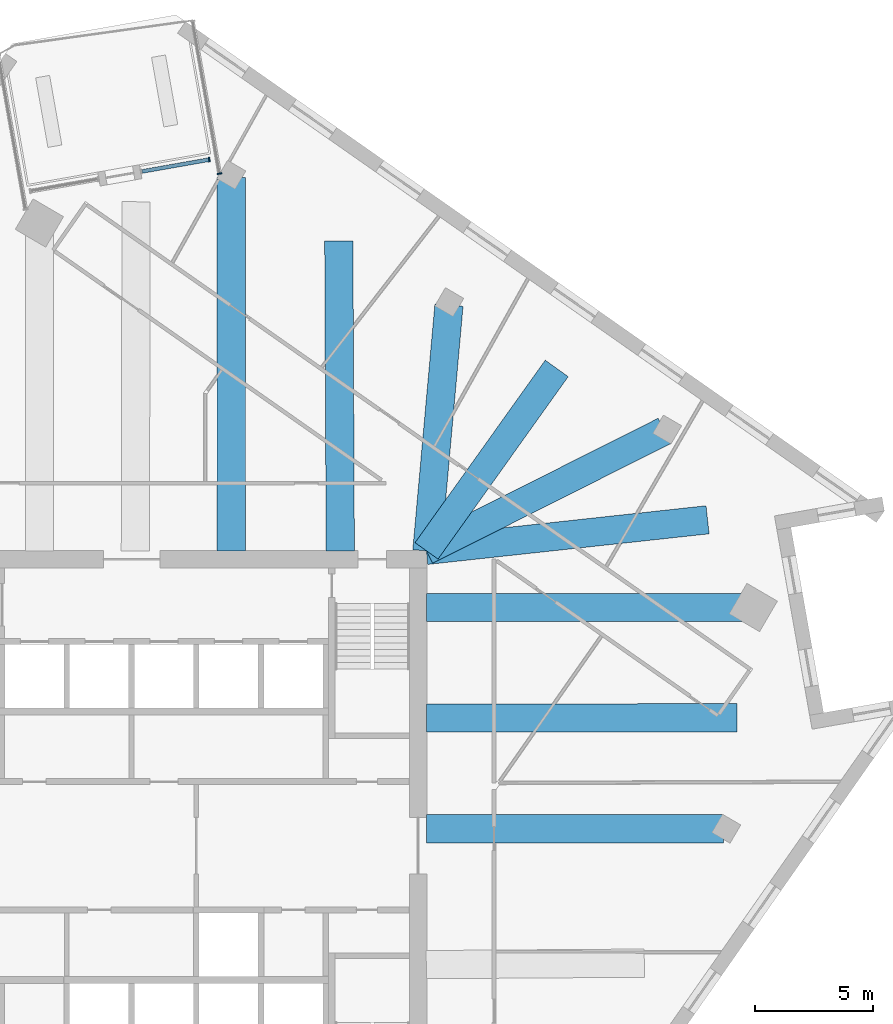
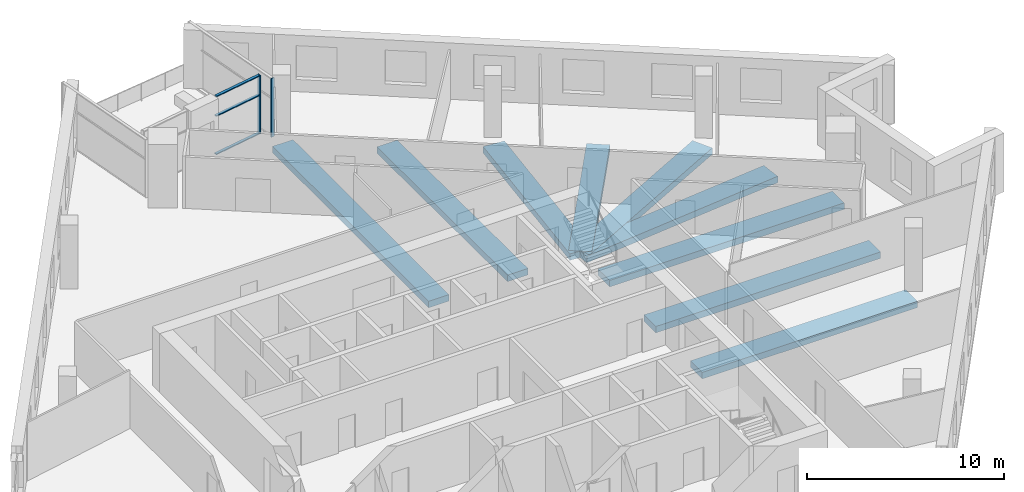
# One storey, part 3 of 13: 9 beams, 5 members, 2 elements without a shape of their own.
"""IFC4 building model written with IfcOpenShell, lengths in metres."""

import ifcopenshell
import ifcopenshell.guid

model = None  # the IFC model being written
_history = None  # IfcOwnerHistory: only IFC2X3 demands one
_inside = {}  # id of a spatial element -> (the spatial element, [elements in it])
_under = {}  # id of a project, library or spatial element -> (it, [spatial elements below it])
_declared = {}  # id of a project -> (the project, [libraries it declares])
_typed = {}  # id of a type object -> (the type object, [elements of that type])
_made_of = {}  # id of a material, layer set ... -> (it, [elements and type objects made of it])


def new_model(schema):
    """Start an empty IFC model of exactly this schema.

    Asked for "IFC4X3", IfcOpenShell would pick the latest addendum, in which some entities
    have other attributes; the version numbers below select the first issue.
    IFC2X3 requires an IfcOwnerHistory on every rooted entity: one is made here for all.
    """
    global model, _history
    if schema == "IFC4X3":
        model = ifcopenshell.file(schema_version=(4, 3, 0, 0))
    else:
        model = ifcopenshell.file(schema=schema)
    _inside.clear()
    _under.clear()
    _declared.clear()
    _typed.clear()
    _made_of.clear()
    _history = None
    if model.schema == "IFC2X3":
        org = make("IfcOrganization", Name="unknown")
        user = make(
            "IfcPersonAndOrganization",
            ThePerson=make("IfcPerson", FamilyName="unknown"),
            TheOrganization=org,
        )
        app = make(
            "IfcApplication",
            ApplicationDeveloper=org,
            Version="unknown",
            ApplicationFullName="unknown",
            ApplicationIdentifier="unknown",
        )
        _history = make(
            "IfcOwnerHistory",
            OwningUser=user,
            OwningApplication=app,
            ChangeAction="ADDED",
            CreationDate=0,
        )
    return model


def make(cls, **values):
    """One entity of the class cls with the attributes given. An attribute that is None is left unset."""
    return model.create_entity(
        cls, **{name: value for name, value in values.items() if value is not None}
    )


def rooted(cls, **values):
    """An entity with a GlobalId (a new one), such as an element, a storey or a relation."""
    return make(cls, GlobalId=ifcopenshell.guid.new(), OwnerHistory=_history, **values)


def si_unit(unit_type, name, prefix=None):
    """IfcSIUnit, for example si_unit("LENGTHUNIT", "METRE", prefix="MILLI")."""
    return make("IfcSIUnit", UnitType=unit_type, Prefix=prefix, Name=name)


def assignment(units):
    """IfcUnitAssignment: the units of a project."""
    return None if units is None else make("IfcUnitAssignment", Units=units)


def point(xyz):
    """IfcCartesianPoint."""
    return None if xyz is None else make("IfcCartesianPoint", Coordinates=xyz)


def direction(xyz):
    """IfcDirection."""
    return None if xyz is None else make("IfcDirection", DirectionRatios=xyz)


def frame(location, z_axis=None, x_axis=None):
    """IfcAxis2Placement3D, a coordinate frame: its origin and axes. An axis left out is left unset."""
    return make(
        "IfcAxis2Placement3D",
        Location=point(location),
        Axis=direction(z_axis),
        RefDirection=direction(x_axis),
    )


def frame_2d(location, x_axis=None):
    """IfcAxis2Placement2D, a coordinate frame in the plane: its origin and x axis."""
    return make(
        "IfcAxis2Placement2D", Location=point(location), RefDirection=direction(x_axis)
    )


def origin():
    """The frame at (0, 0, 0) with its axes left unset."""
    return frame((0.0, 0.0, 0.0))


def origin_2d():
    """The frame at (0, 0) in the plane with its x axis left unset."""
    return frame_2d((0.0, 0.0))


def place(relative_to, where):
    """IfcLocalPlacement: puts the frame where relative to a parent placement (None: the world)."""
    return make(
        "IfcLocalPlacement", PlacementRelTo=relative_to, RelativePlacement=where
    )


def context(
    kind, dimensions, precision=None, world=None, true_north=None, identifier=None
):
    """IfcGeometricRepresentationContext, for example the 3D "Model" context."""
    return make(
        "IfcGeometricRepresentationContext",
        ContextIdentifier=identifier,
        ContextType=kind,
        CoordinateSpaceDimension=dimensions,
        Precision=precision,
        WorldCoordinateSystem=world,
        TrueNorth=true_north,
    )


def subcontext(parent, identifier, kind, view, scale=None):
    """IfcGeometricRepresentationSubContext, for example "Body" below "Model"."""
    return make(
        "IfcGeometricRepresentationSubContext",
        ContextIdentifier=identifier,
        ContextType=kind,
        ParentContext=parent,
        TargetScale=scale,
        TargetView=view,
    )


def project(units=None, contexts=None):
    """IfcProject with its units and contexts."""
    return rooted(
        "IfcProject",
        Name="project",
        RepresentationContexts=contexts,
        UnitsInContext=assignment(units),
    )


def spatial(cls, under=None, at=None, **own):
    """A site, building, storey or space (cls), placed at a placement, below another one or the project."""
    s = rooted(cls, ObjectPlacement=at, **own)
    if under is not None:
        _under.setdefault(under.id(), (under, []))[1].append(s)
    return s


def profile(cls, at=None, kind="AREA", **sizes):
    """A parametric profile (cls). Its sizes go by their IFC names, for example OverallWidth=200.0."""
    return make(cls, ProfileType=kind, Position=at, **sizes)


def rectangle(**sizes):
    """IfcRectangleProfileDef."""
    return profile("IfcRectangleProfileDef", **sizes)


def extrude(swept, where, along, depth):
    """IfcExtrudedAreaSolid: the profile swept, set in the frame where, extruded along a direction by depth."""
    return make(
        "IfcExtrudedAreaSolid",
        SweptArea=swept,
        Position=where,
        ExtrudedDirection=direction(along),
        Depth=depth,
    )


def shape(context_of_items, identifier, shape_type, items):
    """IfcShapeRepresentation: the items that make up one representation, for example the "Body"."""
    return make(
        "IfcShapeRepresentation",
        ContextOfItems=context_of_items,
        RepresentationIdentifier=identifier,
        RepresentationType=shape_type,
        Items=items,
    )


def material(Name=None, Category=None):
    """IfcMaterial."""
    return make("IfcMaterial", Name=Name, Category=Category)


def material_profile(
    of_material, cross_section, Name=None, Category=None, Priority=None
):
    """IfcMaterialProfile: a cross section and its material."""
    return make(
        "IfcMaterialProfile",
        Name=Name,
        Material=of_material,
        Profile=cross_section,
        Priority=Priority,
        Category=Category,
    )


def profile_set(profiles, Name=None, composite=None):
    """IfcMaterialProfileSet."""
    return make(
        "IfcMaterialProfileSet",
        Name=Name,
        MaterialProfiles=profiles,
        CompositeProfile=composite,
    )


def made_of(thing, what):
    """Note that an element or type object is made of a material, layer set ...; save() writes the relation."""
    if what is not None:
        _made_of.setdefault(what.id(), (what, []))[1].append(thing)
    return thing


def type_object(cls, material=None, **own):
    """A type object (cls), such as IfcWallType, which elements share."""
    return made_of(rooted(cls, **own), material)


def element(
    cls,
    number,
    at=None,
    inside=None,
    cuts=None,
    type_object=None,
    material=None,
    context=None,
    identifier="Body",
    shape_type=None,
    held_by="IfcProductDefinitionShape",
    body=None,
    shapes=None,
    **own,
):
    """One element of the class cls, such as IfcWall. Its Tag is "e" and its number.

    at: its placement. inside: the storey or other place that contains it. cuts: it is an
    opening in that element (IfcRelVoidsElement). A single representation is given by context,
    identifier, shape_type and body (its items); several are given by shapes. held_by: the class
    of the entity that holds the representations. save() writes the other relations.
    """
    e = rooted(cls, Tag="e%d" % number, ObjectPlacement=at, **own)
    if body is not None:
        shapes = [shape(context, identifier, shape_type, body)]
    if shapes is not None:
        e.Representation = make(held_by, Representations=shapes)
    if inside is not None:
        _inside.setdefault(inside.id(), (inside, []))[1].append(e)
    if cuts is not None:
        rooted(
            "IfcRelVoidsElement", RelatingBuildingElement=cuts, RelatedOpeningElement=e
        )
    if type_object is not None:
        _typed.setdefault(type_object.id(), (type_object, []))[1].append(e)
    return made_of(e, material)


def aggregate(whole, parts):
    """IfcRelAggregates: a whole, such as a stair, and the parts it consists of."""
    return rooted("IfcRelAggregates", RelatingObject=whole, RelatedObjects=parts)


def save(model, path):
    """Write the relations noted so far, then the file.

    IfcRelAggregates (storeys below a building ...), IfcRelContainedInSpatialStructure (elements
    in a storey), IfcRelDefinesByType, IfcRelAssociatesMaterial and IfcRelDeclares: one each for
    every whole, place, type object, material and project.
    """
    for whole, parts in _under.values():
        aggregate(whole, parts)
    for where, things in _inside.values():
        rooted(
            "IfcRelContainedInSpatialStructure",
            RelatedElements=things,
            RelatingStructure=where,
        )
    for kind, things in _typed.values():
        rooted("IfcRelDefinesByType", RelatedObjects=things, RelatingType=kind)
    for what, things in _made_of.values():
        rooted("IfcRelAssociatesMaterial", RelatedObjects=things, RelatingMaterial=what)
    for by, libraries in _declared.values():
        rooted("IfcRelDeclares", RelatingContext=by, RelatedDefinitions=libraries)
    model.write(path)


model = new_model("IFC4")

# Units and contexts
model_context = context("Model", 3, precision=1e-05, world=origin(), true_north=direction((0.0, 1.0)))
body_context = subcontext(model_context, "Body", "Model", "MODEL_VIEW")
ifc_project = project(units=[si_unit("LENGTHUNIT", "METRE"), si_unit("AREAUNIT", "SQUARE_METRE"), si_unit("VOLUMEUNIT", "CUBIC_METRE"), si_unit("PLANEANGLEUNIT", "RADIAN"), si_unit("MASSUNIT", "GRAM", prefix="KILO")], contexts=[model_context])

# Site, building, storey
site_placement = place(None, origin())
site = spatial("IfcSite", under=ifc_project, at=site_placement, CompositionType="ELEMENT")
building_placement = place(site_placement, origin())
building = spatial("IfcBuilding", under=site, at=building_placement, Name="Dilmun Exchange Tower", CompositionType="ELEMENT")
storey_placement = place(building_placement, frame((0.0, 0.0, 242.89990234375)))
storey = spatial("IfcBuildingStorey", under=building, at=storey_placement, Name="L57", CompositionType="ELEMENT", Elevation=242.89990234375)

# Curtain wall, member
ifc_material_1 = material(Name="Anodised aluminium and clear glass", Category="aluminium")
curtain_wall_type = type_object("IfcCurtainWallType", Name="Garden corner glazing", PredefinedType="NOTDEFINED", material=ifc_material_1)
curtain_wall_1_placement = place(storey_placement, origin())
curtain_wall_1 = element("IfcCurtainWall", 1, at=curtain_wall_1_placement, inside=storey, type_object=curtain_wall_type, Name="Garden corner glazing run GC1.1", PredefinedType="NOTDEFINED")
ifc_material_2 = material(Name="Anodised aluminium", Category="aluminium")
ifc_material_profile_1 = material_profile(ifc_material_2, rectangle(XDim=0.199951171875, YDim=0.06005859375, at=origin_2d()), Name="AL 60x200")
ifc_profile_set_1 = profile_set([ifc_material_profile_1], Name="Anodised aluminium")
member_type_1 = type_object("IfcMemberType", Name="Garden corner glazing mullion 60 x 200", PredefinedType="MULLION", material=ifc_profile_set_1)
member_1_placement = place(storey_placement, frame((3.74169921875, 28.55810546875, 0.0), z_axis=(0.0, 0.0, 1.0), x_axis=(0.984807359836, 0.173650407466, 0.0)))
member_1 = element("IfcMember", 2, at=member_1_placement, type_object=member_type_1, Name="GC1.1 mullion 2", PredefinedType="MULLION", context=body_context, shape_type="SweptSolid", body=[
    extrude(rectangle(XDim=0.199951171875, YDim=0.06005859375, at=origin_2d()), origin(), (0.0, 0.0, 1.0), 3.64013671875),
])
aggregate(curtain_wall_1, [member_1])

# Curtain wall, members
curtain_wall_2_placement = place(storey_placement, origin())
curtain_wall_2 = element("IfcCurtainWall", 3, at=curtain_wall_2_placement, inside=storey, type_object=curtain_wall_type, Name="Garden corner glazing run GC2.1", PredefinedType="NOTDEFINED")
member_2_placement = place(storey_placement, frame((3.3017578125, 29.15234375, 0.0), z_axis=(0.0, 0.0, 1.0), x_axis=(0.173630743351, -0.984810826993, 0.0)))
member_2 = element("IfcMember", 4, at=member_2_placement, type_object=member_type_1, Name="GC2.1 mullion 1", PredefinedType="MULLION", context=body_context, shape_type="SweptSolid", body=[
    extrude(rectangle(XDim=0.199951171875, YDim=0.06005859375, at=origin_2d()), origin(), (0.0, 0.0, 1.0), 3.64013671875),
])
ifc_material_profile_2 = material_profile(ifc_material_2, rectangle(XDim=0.159912109375, YDim=0.06005859375, at=origin_2d()), Name="AL 60x160")
ifc_profile_set_2 = profile_set([ifc_material_profile_2], Name="Anodised aluminium")
member_type_2 = type_object("IfcMemberType", Name="Garden corner glazing transom 60 x 160", PredefinedType="USERDEFINED", material=ifc_profile_set_2)
member_3_placement = place(storey_placement, frame((3.272216796875, 29.14697265625, 0.030029296875), z_axis=(-0.984816950826, -0.173596006194, 0.0), x_axis=(0.173596006194, -0.984816950826, 0.0)))
member_3 = element("IfcMember", 5, at=member_3_placement, type_object=member_type_2, Name="GC2.1 transom 1.1", ObjectType="TRANSOM", PredefinedType="USERDEFINED", context=body_context, shape_type="SweptSolid", body=[
    extrude(rectangle(XDim=0.159912109375, YDim=0.06005859375, at=origin_2d()), origin(), (0.0, 0.0, 1.0), 2.868896484375),
])
member_4_placement = place(storey_placement, frame((3.272216796875, 29.14697265625, 2.400146484375), z_axis=(-0.984816950826, -0.173596006194, 0.0), x_axis=(0.173596006194, -0.984816950826, 0.0)))
member_4 = element("IfcMember", 6, at=member_4_placement, type_object=member_type_2, Name="GC2.1 transom 1.2", ObjectType="TRANSOM", PredefinedType="USERDEFINED", context=body_context, shape_type="SweptSolid", body=[
    extrude(rectangle(XDim=0.159912109375, YDim=0.06005859375, at=origin_2d()), origin(), (0.0, 0.0, 1.0), 2.868896484375),
])
member_5_placement = place(storey_placement, frame((3.272216796875, 29.14697265625, 3.610107421875), z_axis=(-0.984816950826, -0.173596006194, 0.0), x_axis=(0.173596006194, -0.984816950826, 0.0)))
member_5 = element("IfcMember", 7, at=member_5_placement, type_object=member_type_2, Name="GC2.1 transom 1.3", ObjectType="TRANSOM", PredefinedType="USERDEFINED", context=body_context, shape_type="SweptSolid", body=[
    extrude(rectangle(XDim=0.159912109375, YDim=0.06005859375, at=origin_2d()), origin(), (0.0, 0.0, 1.0), 2.868896484375),
])
aggregate(curtain_wall_2, [member_2, member_3, member_4, member_5])

# Beams
ifc_material_3 = material(Name="Concrete C40/50", Category="concrete")
ifc_material_profile_3 = material_profile(ifc_material_3, rectangle(XDim=1.199951171875, YDim=0.39990234375, at=origin_2d()), Name="1200 x 400")
ifc_profile_set_3 = profile_set([ifc_material_profile_3], Name="Concrete C40/50")
beam_type = type_object("IfcBeamType", Name="RC band beam 1200 x 400 C40/50", PredefinedType="BEAM", material=ifc_profile_set_3)
beam_1_placement = place(storey_placement, frame((25.1435546875, 0.721923828125, -0.659912109375), z_axis=(-1.0, 0.0, 0.0), x_axis=(0.0, -1.0, 0.0)))
element("IfcBeam", 8, at=beam_1_placement, inside=storey, type_object=beam_type, Name="Band beam 12", PredefinedType="BEAM", context=body_context, shape_type="SweptSolid", body=[
    extrude(rectangle(XDim=1.199951171875, YDim=0.39990234375, at=origin_2d()), origin(), (0.0, 0.0, 1.0), 12.62060546875),
])
beam_2_placement = place(storey_placement, frame((26.29052734375, 10.1220703125, -0.659912109375), z_axis=(-1.0, 0.0, 0.0), x_axis=(0.0, -1.0, 0.0)))
element("IfcBeam", 9, at=beam_2_placement, inside=storey, type_object=beam_type, Name="Band beam 13", PredefinedType="BEAM", context=body_context, shape_type="SweptSolid", body=[
    extrude(rectangle(XDim=1.199951171875, YDim=0.39990234375, at=origin_2d()), origin(), (0.0, 0.0, 1.0), 13.767578125),
])
beam_3_placement = place(storey_placement, frame((22.646728515625, 17.626220703125, -0.659912109375), z_axis=(-0.893437930983, -0.449186668859, 0.0), x_axis=(0.449186668859, -0.893437930983, 0.0)))
element("IfcBeam", 10, at=beam_3_placement, inside=storey, type_object=beam_type, Name="Band beam 14", PredefinedType="BEAM", context=body_context, shape_type="SweptSolid", body=[
    extrude(rectangle(XDim=1.199951171875, YDim=0.39990234375, at=origin_2d()), origin(), (0.0, 0.0, 1.0), 11.327880859375),
])
beam_4_placement = place(storey_placement, frame((13.48779296875, 22.969970703125, -0.659912109375), z_axis=(-0.08963539061, -0.99597464664, 0.0), x_axis=(0.99597464664, -0.08963539061, 0.0)))
element("IfcBeam", 11, at=beam_4_placement, inside=storey, type_object=beam_type, Name="Band beam 15", PredefinedType="BEAM", context=body_context, shape_type="SweptSolid", body=[
    extrude(rectangle(XDim=1.199951171875, YDim=0.39990234375, at=origin_2d()), origin(), (0.0, 0.0, 1.0), 10.489013671875),
])
beam_5_placement = place(storey_placement, frame((4.239990234375, 28.381591796875, -0.659912109375), z_axis=(0.0, -1.0, 0.0), x_axis=(1.0, 0.0, 0.0)))
element("IfcBeam", 12, at=beam_5_placement, inside=storey, type_object=beam_type, Name="Band beam 16", PredefinedType="BEAM", context=body_context, shape_type="SweptSolid", body=[
    extrude(rectangle(XDim=1.199951171875, YDim=0.39990234375, at=origin_2d()), origin(), (0.0, 0.0, 1.0), 15.858642578125),
])
beam_6_placement = place(storey_placement, frame((25.718017578125, 5.43701171875, -0.659912109375), z_axis=(-0.999999363078, -0.00112864657, 0.0), x_axis=(0.00112864657, -0.999999363078, 0.0)))
element("IfcBeam", 13, at=beam_6_placement, inside=storey, type_object=beam_type, Name="Band beam 28", PredefinedType="BEAM", context=body_context, shape_type="SweptSolid", body=[
    extrude(rectangle(XDim=1.199951171875, YDim=0.39990234375, at=origin_2d()), origin(), (0.0, 0.0, 1.0), 13.195068359375),
])
beam_7_placement = place(storey_placement, frame((24.474365234375, 13.847900390625, -0.659912109375), z_axis=(-0.994128896714, -0.108202295344, 0.0), x_axis=(0.108202295344, -0.994128896714, 0.0)))
element("IfcBeam", 14, at=beam_7_placement, inside=storey, type_object=beam_type, Name="Band beam 29", PredefinedType="BEAM", context=body_context, shape_type="SweptSolid", body=[
    extrude(rectangle(XDim=1.199951171875, YDim=0.39990234375, at=origin_2d()), origin(), (0.0, 0.0, 1.0), 12.021728515625),
])
beam_8_placement = place(storey_placement, frame((18.065673828125, 20.280517578125, -0.659912109375), z_axis=(-0.580823446771, -0.814029559464, 0.0), x_axis=(0.814029559464, -0.580823446771, 0.0)))
element("IfcBeam", 15, at=beam_8_placement, inside=storey, type_object=beam_type, Name="Band beam 30", PredefinedType="BEAM", context=body_context, shape_type="SweptSolid", body=[
    extrude(rectangle(XDim=1.199951171875, YDim=0.39990234375, at=origin_2d()), origin(), (0.0, 0.0, 1.0), 9.5234375),
])
beam_9_placement = place(storey_placement, frame((8.806640625, 25.6923828125, -0.659912109375), z_axis=(0.00476432248, -0.999988650551, 0.0), x_axis=(0.999988650551, 0.00476432248, 0.0)))
element("IfcBeam", 16, at=beam_9_placement, inside=storey, type_object=beam_type, Name="Band beam 31", PredefinedType="BEAM", context=body_context, shape_type="SweptSolid", body=[
    extrude(rectangle(XDim=1.199951171875, YDim=0.39990234375, at=origin_2d()), origin(), (0.0, 0.0, 1.0), 13.169677734375),
])

save(model, "model.ifc")
